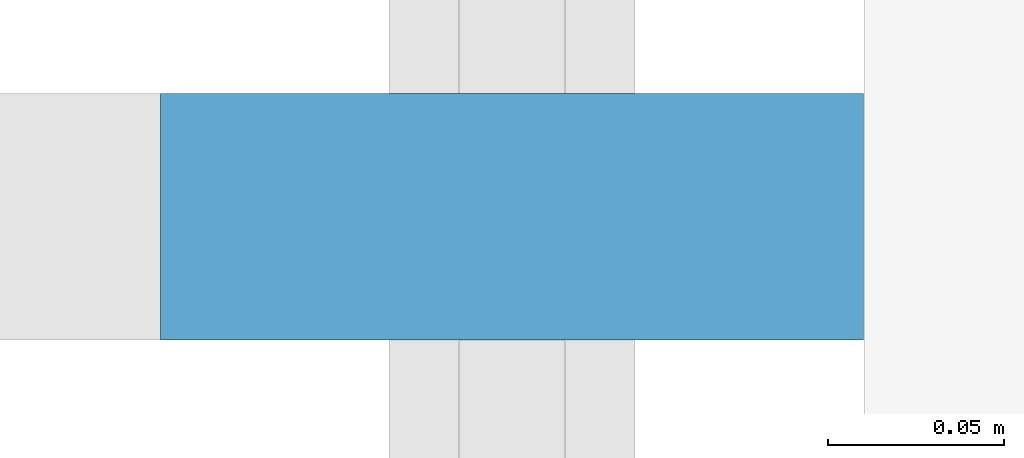
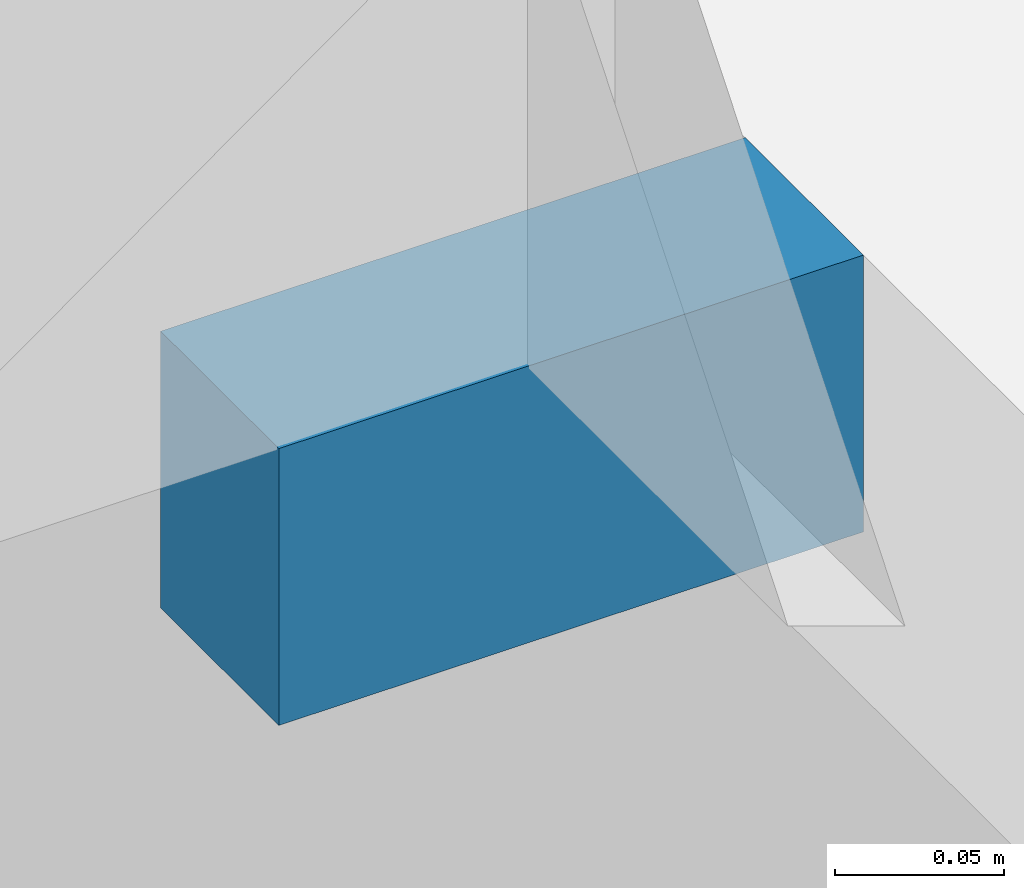
# One storey, part 13 of 17: 1 discrete accessory.
"""IFC4 building model written with IfcOpenShell, lengths in metres."""

from ifc_helpers import new_model, si_unit, direction, frame, origin, origin_2d, place, context, subcontext, project, spatial, rectangle, extrude, element, save


model = new_model("IFC4")

# Units and contexts
model_context = context("Model", 3, precision=1e-05, world=origin(), true_north=direction((0.0, 1.0)))
body_context = subcontext(model_context, "Body", "Model", "MODEL_VIEW")
ifc_project = project(units=[si_unit("LENGTHUNIT", "METRE"), si_unit("AREAUNIT", "SQUARE_METRE"), si_unit("VOLUMEUNIT", "CUBIC_METRE"), si_unit("PLANEANGLEUNIT", "RADIAN"), si_unit("MASSUNIT", "GRAM", prefix="KILO")], contexts=[model_context])

# Site, building, storey
site_placement = place(None, origin())
site = spatial("IfcSite", under=ifc_project, at=site_placement, CompositionType="ELEMENT")
building_placement = place(site_placement, origin())
building = spatial("IfcBuilding", under=site, at=building_placement, Name="Daluyong Arena Tower", CompositionType="ELEMENT")
storey_placement = place(building_placement, frame((0.0, 0.0, 193.89990234375)))
storey = spatial("IfcBuildingStorey", under=building, at=storey_placement, Name="L43", CompositionType="ELEMENT", Elevation=193.89990234375)

# Discrete accessory
discrete_accessory_placement = place(storey_placement, frame((34.25, 87.386474609375, -0.099853515625), z_axis=(0.0, 0.0, 1.0), x_axis=(0.0, -1.0, 0.0)))
element("IfcDiscreteAccessory", 1, at=discrete_accessory_placement, inside=storey, Name="curtain wall L43 W anchor bracket 4", PredefinedType="BRACKET", context=body_context, shape_type="SweptSolid", body=[
    extrude(rectangle(XDim=0.070068359375, YDim=0.199951171875, at=origin_2d()), origin(), (0.0, 0.0, 1.0), 0.10009765625),
])

save(model, "model.ifc")
